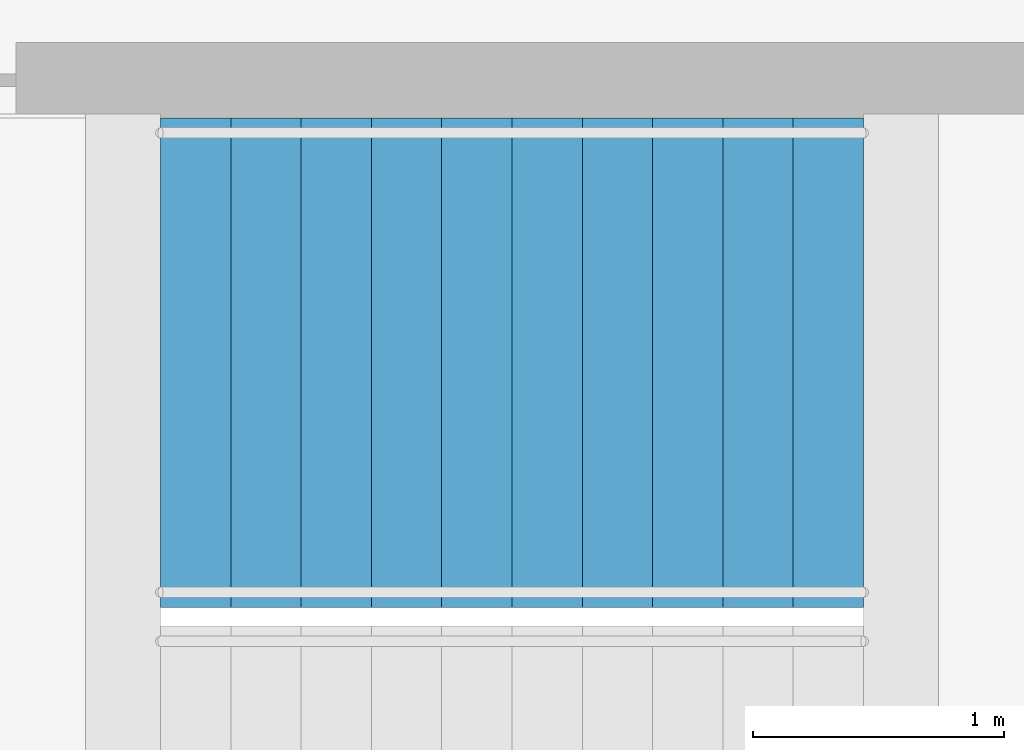
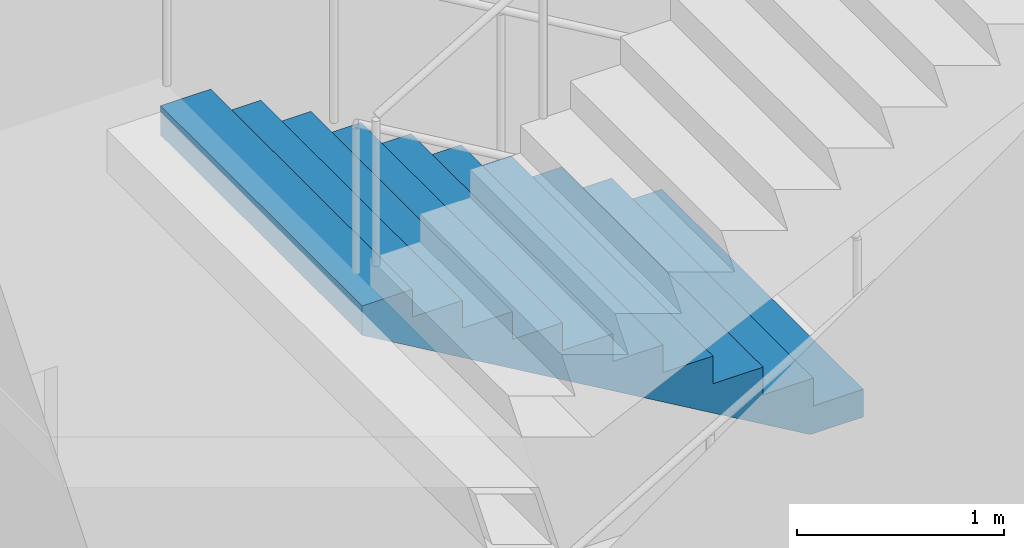
# One storey, part 16 of 22: 1 stair flight, 1 element without a shape of its own.
"""IFC4 building model written with IfcOpenShell, lengths in metres."""

import ifcopenshell
import ifcopenshell.guid

model = None  # the IFC model being written
_history = None  # IfcOwnerHistory: only IFC2X3 demands one
_inside = {}  # id of a spatial element -> (the spatial element, [elements in it])
_under = {}  # id of a project, library or spatial element -> (it, [spatial elements below it])
_declared = {}  # id of a project -> (the project, [libraries it declares])
_typed = {}  # id of a type object -> (the type object, [elements of that type])
_made_of = {}  # id of a material, layer set ... -> (it, [elements and type objects made of it])


def new_model(schema):
    """Start an empty IFC model of exactly this schema.

    Asked for "IFC4X3", IfcOpenShell would pick the latest addendum, in which some entities
    have other attributes; the version numbers below select the first issue.
    IFC2X3 requires an IfcOwnerHistory on every rooted entity: one is made here for all.
    """
    global model, _history
    if schema == "IFC4X3":
        model = ifcopenshell.file(schema_version=(4, 3, 0, 0))
    else:
        model = ifcopenshell.file(schema=schema)
    _inside.clear()
    _under.clear()
    _declared.clear()
    _typed.clear()
    _made_of.clear()
    _history = None
    if model.schema == "IFC2X3":
        org = make("IfcOrganization", Name="unknown")
        user = make(
            "IfcPersonAndOrganization",
            ThePerson=make("IfcPerson", FamilyName="unknown"),
            TheOrganization=org,
        )
        app = make(
            "IfcApplication",
            ApplicationDeveloper=org,
            Version="unknown",
            ApplicationFullName="unknown",
            ApplicationIdentifier="unknown",
        )
        _history = make(
            "IfcOwnerHistory",
            OwningUser=user,
            OwningApplication=app,
            ChangeAction="ADDED",
            CreationDate=0,
        )
    return model


def make(cls, **values):
    """One entity of the class cls with the attributes given. An attribute that is None is left unset."""
    return model.create_entity(
        cls, **{name: value for name, value in values.items() if value is not None}
    )


def rooted(cls, **values):
    """An entity with a GlobalId (a new one), such as an element, a storey or a relation."""
    return make(cls, GlobalId=ifcopenshell.guid.new(), OwnerHistory=_history, **values)


def si_unit(unit_type, name, prefix=None):
    """IfcSIUnit, for example si_unit("LENGTHUNIT", "METRE", prefix="MILLI")."""
    return make("IfcSIUnit", UnitType=unit_type, Prefix=prefix, Name=name)


def assignment(units):
    """IfcUnitAssignment: the units of a project."""
    return None if units is None else make("IfcUnitAssignment", Units=units)


def point(xyz):
    """IfcCartesianPoint."""
    return None if xyz is None else make("IfcCartesianPoint", Coordinates=xyz)


def direction(xyz):
    """IfcDirection."""
    return None if xyz is None else make("IfcDirection", DirectionRatios=xyz)


def frame(location, z_axis=None, x_axis=None):
    """IfcAxis2Placement3D, a coordinate frame: its origin and axes. An axis left out is left unset."""
    return make(
        "IfcAxis2Placement3D",
        Location=point(location),
        Axis=direction(z_axis),
        RefDirection=direction(x_axis),
    )


def origin():
    """The frame at (0, 0, 0) with its axes left unset."""
    return frame((0.0, 0.0, 0.0))


def place(relative_to, where):
    """IfcLocalPlacement: puts the frame where relative to a parent placement (None: the world)."""
    return make(
        "IfcLocalPlacement", PlacementRelTo=relative_to, RelativePlacement=where
    )


def context(
    kind, dimensions, precision=None, world=None, true_north=None, identifier=None
):
    """IfcGeometricRepresentationContext, for example the 3D "Model" context."""
    return make(
        "IfcGeometricRepresentationContext",
        ContextIdentifier=identifier,
        ContextType=kind,
        CoordinateSpaceDimension=dimensions,
        Precision=precision,
        WorldCoordinateSystem=world,
        TrueNorth=true_north,
    )


def subcontext(parent, identifier, kind, view, scale=None):
    """IfcGeometricRepresentationSubContext, for example "Body" below "Model"."""
    return make(
        "IfcGeometricRepresentationSubContext",
        ContextIdentifier=identifier,
        ContextType=kind,
        ParentContext=parent,
        TargetScale=scale,
        TargetView=view,
    )


def project(units=None, contexts=None):
    """IfcProject with its units and contexts."""
    return rooted(
        "IfcProject",
        Name="project",
        RepresentationContexts=contexts,
        UnitsInContext=assignment(units),
    )


def spatial(cls, under=None, at=None, **own):
    """A site, building, storey or space (cls), placed at a placement, below another one or the project."""
    s = rooted(cls, ObjectPlacement=at, **own)
    if under is not None:
        _under.setdefault(under.id(), (under, []))[1].append(s)
    return s


def point_list(points):
    """IfcCartesianPointList2D or 3D."""
    cls = (
        "IfcCartesianPointList2D" if len(points[0]) == 2 else "IfcCartesianPointList3D"
    )
    return make(cls, CoordList=points)


def triangles(points, corners, closed=None, point_numbers=None):
    """IfcTriangulatedFaceSet: each triangle names its three corners, points numbered from 1."""
    return make(
        "IfcTriangulatedFaceSet",
        Coordinates=point_list(points),
        Closed=closed,
        CoordIndex=corners,
        PnIndex=point_numbers,
    )


def shape(context_of_items, identifier, shape_type, items):
    """IfcShapeRepresentation: the items that make up one representation, for example the "Body"."""
    return make(
        "IfcShapeRepresentation",
        ContextOfItems=context_of_items,
        RepresentationIdentifier=identifier,
        RepresentationType=shape_type,
        Items=items,
    )


def material(Name=None, Category=None):
    """IfcMaterial."""
    return make("IfcMaterial", Name=Name, Category=Category)


def made_of(thing, what):
    """Note that an element or type object is made of a material, layer set ...; save() writes the relation."""
    if what is not None:
        _made_of.setdefault(what.id(), (what, []))[1].append(thing)
    return thing


def type_object(cls, material=None, **own):
    """A type object (cls), such as IfcWallType, which elements share."""
    return made_of(rooted(cls, **own), material)


def element(
    cls,
    number,
    at=None,
    inside=None,
    cuts=None,
    type_object=None,
    material=None,
    context=None,
    identifier="Body",
    shape_type=None,
    held_by="IfcProductDefinitionShape",
    body=None,
    shapes=None,
    **own,
):
    """One element of the class cls, such as IfcWall. Its Tag is "e" and its number.

    at: its placement. inside: the storey or other place that contains it. cuts: it is an
    opening in that element (IfcRelVoidsElement). A single representation is given by context,
    identifier, shape_type and body (its items); several are given by shapes. held_by: the class
    of the entity that holds the representations. save() writes the other relations.
    """
    e = rooted(cls, Tag="e%d" % number, ObjectPlacement=at, **own)
    if body is not None:
        shapes = [shape(context, identifier, shape_type, body)]
    if shapes is not None:
        e.Representation = make(held_by, Representations=shapes)
    if inside is not None:
        _inside.setdefault(inside.id(), (inside, []))[1].append(e)
    if cuts is not None:
        rooted(
            "IfcRelVoidsElement", RelatingBuildingElement=cuts, RelatedOpeningElement=e
        )
    if type_object is not None:
        _typed.setdefault(type_object.id(), (type_object, []))[1].append(e)
    return made_of(e, material)


def aggregate(whole, parts):
    """IfcRelAggregates: a whole, such as a stair, and the parts it consists of."""
    return rooted("IfcRelAggregates", RelatingObject=whole, RelatedObjects=parts)


def save(model, path):
    """Write the relations noted so far, then the file.

    IfcRelAggregates (storeys below a building ...), IfcRelContainedInSpatialStructure (elements
    in a storey), IfcRelDefinesByType, IfcRelAssociatesMaterial and IfcRelDeclares: one each for
    every whole, place, type object, material and project.
    """
    for whole, parts in _under.values():
        aggregate(whole, parts)
    for where, things in _inside.values():
        rooted(
            "IfcRelContainedInSpatialStructure",
            RelatedElements=things,
            RelatingStructure=where,
        )
    for kind, things in _typed.values():
        rooted("IfcRelDefinesByType", RelatedObjects=things, RelatingType=kind)
    for what, things in _made_of.values():
        rooted("IfcRelAssociatesMaterial", RelatedObjects=things, RelatingMaterial=what)
    for by, libraries in _declared.values():
        rooted("IfcRelDeclares", RelatingContext=by, RelatedDefinitions=libraries)
    model.write(path)


model = new_model("IFC4")

# Units and contexts
model_context = context("Model", 3, precision=1e-05, world=origin(), true_north=direction((0.0, 1.0)))
body_context = subcontext(model_context, "Body", "Model", "MODEL_VIEW")
ifc_project = project(units=[si_unit("LENGTHUNIT", "METRE"), si_unit("AREAUNIT", "SQUARE_METRE"), si_unit("VOLUMEUNIT", "CUBIC_METRE"), si_unit("PLANEANGLEUNIT", "RADIAN"), si_unit("MASSUNIT", "GRAM", prefix="KILO")], contexts=[model_context])

# Site, building, storey
site_placement = place(None, origin())
site = spatial("IfcSite", under=ifc_project, at=site_placement, CompositionType="ELEMENT")
building_placement = place(site_placement, origin())
building = spatial("IfcBuilding", under=site, at=building_placement, Name="Orbita Commons", CompositionType="ELEMENT")
storey_placement = place(building_placement, frame((0.0, 0.0, 133.14990234375)))
storey = spatial("IfcBuildingStorey", under=building, at=storey_placement, Name="L33", CompositionType="ELEMENT", Elevation=133.14990234375)

# Stair, stair flight
ifc_material_1 = material(Name="Precast concrete C40/50", Category="concrete")
stair_type = type_object("IfcStairType", Name="Exit stair S1 4 flights 11 risers 164", PredefinedType="HALF_TURN_STAIR", material=ifc_material_1)
stair_placement = place(storey_placement, origin())
stair = element("IfcStair", 1, at=stair_placement, inside=storey, type_object=stair_type, Name="Exit stair S1 L33", PredefinedType="HALF_TURN_STAIR")
ifc_material_2 = material(Name="Precast concrete C40/50", Category="concrete")
stair_flight_type = type_object("IfcStairFlightType", Name="Stair flight 11 risers 164 x 280", PredefinedType="STRAIGHT", material=ifc_material_2)
stair_flight_placement = place(storey_placement, frame((23.25, 29.27490234375, 1.800048828125), z_axis=(0.0, 0.0, 1.0), x_axis=(-1.0, 0.0, 0.0)))
stair_flight = element("IfcStairFlight", 2, at=stair_flight_placement, type_object=stair_flight_type, Name="S1 flight 2", NumberOfRisers=11, NumberOfTreads=10, PredefinedType="STRAIGHT", RiserHeight=0.163636364, TreadLength=0.28, context=body_context, shape_type="Tessellation", body=[
    triangles([(0.0, 0.974976, 0.0), (0.0, 0.974976, 0.020455), (0.0, 0.81248, 0.020455), (0.0, 0.81248, 0.0), (0.0, 0.649984, 0.020455), (0.0, 0.649984, 0.0), (0.0, 0.487488, 0.020455), (0.0, 0.487488, 0.0), (0.0, 0.324992, 0.020455), (0.0, 0.324992, 0.0), (0.0, 0.162496, 0.020455), (0.0, 0.162496, 0.0), (0.0, 0.0, 0.020455), (0.0, 0.0, 0.0), (0.0, -0.162496, 0.020455), (0.0, -0.162496, 0.0), (0.0, -0.324992, 0.020455), (0.0, -0.324992, 0.0), (0.0, -0.487488, 0.020455), (0.0, -0.487488, 0.0), (0.0, -0.649984, 0.020455), (0.0, -0.649984, 0.0), (0.0, -0.81248, 0.020455), (0.0, -0.81248, 0.0), (0.0, -0.974976, 0.020455), (0.0, -0.974976, 0.0), (0.0, 0.974976, 0.040909), (0.0, 0.81248, 0.040909), (0.0, 0.649984, 0.040909), (0.0, 0.487488, 0.040909), (0.0, 0.324992, 0.040909), (0.0, 0.162496, 0.040909), (0.0, 0.0, 0.040909), (0.0, -0.162496, 0.040909), (0.0, -0.324992, 0.040909), (0.0, -0.487488, 0.040909), (0.0, -0.649984, 0.040909), (0.0, -0.81248, 0.040909), (0.0, -0.974976, 0.040909), (0.0, 0.974976, 0.061364), (0.0, 0.81248, 0.061364), (0.0, 0.649984, 0.061364), (0.0, 0.487488, 0.061364), (0.0, 0.324992, 0.061364), (0.0, 0.162496, 0.061364), (0.0, 0.0, 0.061364), (0.0, -0.162496, 0.061364), (0.0, -0.324992, 0.061364), (0.0, -0.487488, 0.061364), (0.0, -0.649984, 0.061364), (0.0, -0.81248, 0.061364), (0.0, -0.974976, 0.061364), (0.0, 0.974976, 0.081818), (0.0, 0.81248, 0.081818), (0.0, 0.649984, 0.081818), (0.0, 0.487488, 0.081818), (0.0, 0.324992, 0.081818), (0.0, 0.162496, 0.081818), (0.0, 0.0, 0.081818), (0.0, -0.162496, 0.081818), (0.0, -0.324992, 0.081818), (0.0, -0.487488, 0.081818), (0.0, -0.649984, 0.081818), (0.0, -0.81248, 0.081818), (0.0, -0.974976, 0.081818), (0.0, 0.974976, 0.102273), (0.0, 0.81248, 0.102273), (0.0, 0.649984, 0.102273), (0.0, 0.487488, 0.102273), (0.0, 0.324992, 0.102273), (0.0, 0.162496, 0.102273), (0.0, 0.0, 0.102273), (0.0, -0.162496, 0.102273), (0.0, -0.324992, 0.102273), (0.0, -0.487488, 0.102273), (0.0, -0.649984, 0.102273), (0.0, -0.81248, 0.102273), (0.0, -0.974976, 0.102273), (0.0, 0.974976, 0.122727), (0.0, 0.81248, 0.122727), (0.0, 0.649984, 0.122727), (0.0, 0.487488, 0.122727), (0.0, 0.324992, 0.122727), (0.0, 0.162496, 0.122727), (0.0, 0.0, 0.122727), (0.0, -0.162496, 0.122727), (0.0, -0.324992, 0.122727), (0.0, -0.487488, 0.122727), (0.0, -0.649984, 0.122727), (0.0, -0.81248, 0.122727), (0.0, -0.974976, 0.122727), (0.0, 0.974976, 0.143182), (0.0, 0.81248, 0.143182), (0.0, 0.649984, 0.143182), (0.0, 0.487488, 0.143182), (0.0, 0.324992, 0.143182), (0.0, 0.162496, 0.143182), (0.0, 0.0, 0.143182), (0.0, -0.162496, 0.143182), (0.0, -0.324992, 0.143182), (0.0, -0.487488, 0.143182), (0.0, -0.649984, 0.143182), (0.0, -0.81248, 0.143182), (0.0, -0.974976, 0.143182), (0.0, 0.974976, 0.163636), (0.0, 0.81248, 0.163636), (0.0, 0.649984, 0.163636), (0.0, 0.487488, 0.163636), (0.0, 0.324992, 0.163636), (0.0, 0.162496, 0.163636), (0.0, 0.0, 0.163636), (0.0, -0.162496, 0.163636), (0.0, -0.324992, 0.163636), (0.0, -0.487488, 0.163636), (0.0, -0.649984, 0.163636), (0.0, -0.81248, 0.163636), (0.0, -0.974976, 0.163636), (0.28, 0.974976, 0.163636), (0.28, 0.81248, 0.163636), (0.28, 0.649984, 0.163636), (0.28, 0.487488, 0.163636), (0.28, 0.324992, 0.163636), (0.28, 0.162496, 0.163636), (0.28, 0.0, 0.163636), (0.28, -0.162496, 0.163636), (0.28, -0.324992, 0.163636), (0.28, -0.487488, 0.163636), (0.28, -0.649984, 0.163636), (0.28, -0.81248, 0.163636), (0.28, -0.974976, 0.163636), (0.28, 0.974976, 0.327273), (0.28, 0.81248, 0.327273), (0.28, 0.649984, 0.327273), (0.28, 0.487488, 0.327273), (0.28, 0.324992, 0.327273), (0.28, 0.162496, 0.327273), (0.28, 0.0, 0.327273), (0.28, -0.162496, 0.327273), (0.28, -0.324992, 0.327273), (0.28, -0.487488, 0.327273), (0.28, -0.649984, 0.327273), (0.28, -0.81248, 0.327273), (0.28, -0.974976, 0.327273), (0.56, 0.974976, 0.327273), (0.56, 0.81248, 0.327273), (0.56, 0.649984, 0.327273), (0.56, 0.487488, 0.327273), (0.56, 0.324992, 0.327273), (0.56, 0.162496, 0.327273), (0.56, 0.0, 0.327273), (0.56, -0.162496, 0.327273), (0.56, -0.324992, 0.327273), (0.56, -0.487488, 0.327273), (0.56, -0.649984, 0.327273), (0.56, -0.81248, 0.327273), (0.56, -0.974976, 0.327273), (0.56, 0.974976, 0.490909), (0.56, 0.81248, 0.490909), (0.56, 0.649984, 0.490909), (0.56, 0.487488, 0.490909), (0.56, 0.324992, 0.490909), (0.56, 0.162496, 0.490909), (0.56, 0.0, 0.490909), (0.56, -0.162496, 0.490909), (0.56, -0.324992, 0.490909), (0.56, -0.487488, 0.490909), (0.56, -0.649984, 0.490909), (0.56, -0.81248, 0.490909), (0.56, -0.974976, 0.490909), (0.84, 0.974976, 0.490909), (0.84, 0.81248, 0.490909), (0.84, 0.649984, 0.490909), (0.84, 0.487488, 0.490909), (0.84, 0.324992, 0.490909), (0.84, 0.162496, 0.490909), (0.84, 0.0, 0.490909), (0.84, -0.162496, 0.490909), (0.84, -0.324992, 0.490909), (0.84, -0.487488, 0.490909), (0.84, -0.649984, 0.490909), (0.84, -0.81248, 0.490909), (0.84, -0.974976, 0.490909), (0.84, 0.974976, 0.654545), (0.84, 0.81248, 0.654545), (0.84, 0.649984, 0.654545), (0.84, 0.487488, 0.654545), (0.84, 0.324992, 0.654545), (0.84, 0.162496, 0.654545), (0.84, 0.0, 0.654545), (0.84, -0.162496, 0.654545), (0.84, -0.324992, 0.654545), (0.84, -0.487488, 0.654545), (0.84, -0.649984, 0.654545), (0.84, -0.81248, 0.654545), (0.84, -0.974976, 0.654545), (1.12, 0.974976, 0.654545), (1.12, 0.81248, 0.654545), (1.12, 0.649984, 0.654545), (1.12, 0.487488, 0.654545), (1.12, 0.324992, 0.654545), (1.12, 0.162496, 0.654545), (1.12, 0.0, 0.654545), (1.12, -0.162496, 0.654545), (1.12, -0.324992, 0.654545), (1.12, -0.487488, 0.654545), (1.12, -0.649984, 0.654545), (1.12, -0.81248, 0.654545), (1.12, -0.974976, 0.654545), (1.12, 0.974976, 0.818182), (1.12, 0.81248, 0.818182), (1.12, 0.649984, 0.818182), (1.12, 0.487488, 0.818182), (1.12, 0.324992, 0.818182), (1.12, 0.162496, 0.818182), (1.12, 0.0, 0.818182), (1.12, -0.162496, 0.818182), (1.12, -0.324992, 0.818182), (1.12, -0.487488, 0.818182), (1.12, -0.649984, 0.818182), (1.12, -0.81248, 0.818182), (1.12, -0.974976, 0.818182), (1.4, 0.974976, 0.818182), (1.4, 0.81248, 0.818182), (1.4, 0.649984, 0.818182), (1.4, 0.487488, 0.818182), (1.4, 0.324992, 0.818182), (1.4, 0.162496, 0.818182), (1.4, 0.0, 0.818182), (1.4, -0.162496, 0.818182), (1.4, -0.324992, 0.818182), (1.4, -0.487488, 0.818182), (1.4, -0.649984, 0.818182), (1.4, -0.81248, 0.818182), (1.4, -0.974976, 0.818182), (1.4, 0.974976, 0.981818), (1.4, 0.81248, 0.981818), (1.4, 0.649984, 0.981818), (1.4, 0.487488, 0.981818), (1.4, 0.324992, 0.981818), (1.4, 0.162496, 0.981818), (1.4, 0.0, 0.981818), (1.4, -0.162496, 0.981818), (1.4, -0.324992, 0.981818), (1.4, -0.487488, 0.981818), (1.4, -0.649984, 0.981818), (1.4, -0.81248, 0.981818), (1.4, -0.974976, 0.981818), (1.68, 0.974976, 0.981818), (1.68, 0.81248, 0.981818), (1.68, 0.649984, 0.981818), (1.68, 0.487488, 0.981818), (1.68, 0.324992, 0.981818), (1.68, 0.162496, 0.981818), (1.68, 0.0, 0.981818), (1.68, -0.162496, 0.981818), (1.68, -0.324992, 0.981818), (1.68, -0.487488, 0.981818), (1.68, -0.649984, 0.981818), (1.68, -0.81248, 0.981818), (1.68, -0.974976, 0.981818), (1.68, 0.974976, 1.145455), (1.68, 0.81248, 1.145455), (1.68, 0.649984, 1.145455), (1.68, 0.487488, 1.145455), (1.68, 0.324992, 1.145455), (1.68, 0.162496, 1.145455), (1.68, 0.0, 1.145455), (1.68, -0.162496, 1.145455), (1.68, -0.324992, 1.145455), (1.68, -0.487488, 1.145455), (1.68, -0.649984, 1.145455), (1.68, -0.81248, 1.145455), (1.68, -0.974976, 1.145455), (1.96, 0.974976, 1.145455), (1.96, 0.81248, 1.145455), (1.96, 0.649984, 1.145455), (1.96, 0.487488, 1.145455), (1.96, 0.324992, 1.145455), (1.96, 0.162496, 1.145455), (1.96, 0.0, 1.145455), (1.96, -0.162496, 1.145455), (1.96, -0.324992, 1.145455), (1.96, -0.487488, 1.145455), (1.96, -0.649984, 1.145455), (1.96, -0.81248, 1.145455), (1.96, -0.974976, 1.145455), (1.96, 0.974976, 1.309091), (1.96, 0.81248, 1.309091), (1.96, 0.649984, 1.309091), (1.96, 0.487488, 1.309091), (1.96, 0.324992, 1.309091), (1.96, 0.162496, 1.309091), (1.96, 0.0, 1.309091), (1.96, -0.162496, 1.309091), (1.96, -0.324992, 1.309091), (1.96, -0.487488, 1.309091), (1.96, -0.649984, 1.309091), (1.96, -0.81248, 1.309091), (1.96, -0.974976, 1.309091), (2.24, 0.974976, 1.309091), (2.24, 0.81248, 1.309091), (2.24, 0.649984, 1.309091), (2.24, 0.487488, 1.309091), (2.24, 0.324992, 1.309091), (2.24, 0.162496, 1.309091), (2.24, 0.0, 1.309091), (2.24, -0.162496, 1.309091), (2.24, -0.324992, 1.309091), (2.24, -0.487488, 1.309091), (2.24, -0.649984, 1.309091), (2.24, -0.81248, 1.309091), (2.24, -0.974976, 1.309091), (2.24, 0.974976, 1.472727), (2.24, 0.81248, 1.472727), (2.24, 0.649984, 1.472727), (2.24, 0.487488, 1.472727), (2.24, 0.324992, 1.472727), (2.24, 0.162496, 1.472727), (2.24, 0.0, 1.472727), (2.24, -0.162496, 1.472727), (2.24, -0.324992, 1.472727), (2.24, -0.487488, 1.472727), (2.24, -0.649984, 1.472727), (2.24, -0.81248, 1.472727), (2.24, -0.974976, 1.472727), (2.52, 0.974976, 1.472727), (2.52, 0.81248, 1.472727), (2.52, 0.649984, 1.472727), (2.52, 0.487488, 1.472727), (2.52, 0.324992, 1.472727), (2.52, 0.162496, 1.472727), (2.52, 0.0, 1.472727), (2.52, -0.162496, 1.472727), (2.52, -0.324992, 1.472727), (2.52, -0.487488, 1.472727), (2.52, -0.649984, 1.472727), (2.52, -0.81248, 1.472727), (2.52, -0.974976, 1.472727), (2.52, 0.974976, 1.636364), (2.52, 0.81248, 1.636364), (2.52, 0.649984, 1.636364), (2.52, 0.487488, 1.636364), (2.52, 0.324992, 1.636364), (2.52, 0.162496, 1.636364), (2.52, 0.0, 1.636364), (2.52, -0.162496, 1.636364), (2.52, -0.324992, 1.636364), (2.52, -0.487488, 1.636364), (2.52, -0.649984, 1.636364), (2.52, -0.81248, 1.636364), (2.52, -0.974976, 1.636364), (2.8, 0.974976, 1.636364), (2.8, 0.81248, 1.636364), (2.8, 0.649984, 1.636364), (2.8, 0.487488, 1.636364), (2.8, 0.324992, 1.636364), (2.8, 0.162496, 1.636364), (2.8, 0.0, 1.636364), (2.8, -0.162496, 1.636364), (2.8, -0.324992, 1.636364), (2.8, -0.487488, 1.636364), (2.8, -0.649984, 1.636364), (2.8, -0.81248, 1.636364), (2.8, -0.974976, 1.636364), (2.8, 0.974976, 1.614661), (2.8, 0.81248, 1.614661), (2.8, 0.649984, 1.614661), (2.8, 0.487488, 1.614661), (2.8, 0.324992, 1.614661), (2.8, 0.162496, 1.614661), (2.8, 0.0, 1.614661), (2.8, -0.162496, 1.614661), (2.8, -0.324992, 1.614661), (2.8, -0.487488, 1.614661), (2.8, -0.649984, 1.614661), (2.8, -0.81248, 1.614661), (2.8, -0.974976, 1.614661), (2.8, 0.974976, 1.592958), (2.8, 0.81248, 1.592958), (2.8, 0.649984, 1.592958), (2.8, 0.487488, 1.592958), (2.8, 0.324992, 1.592958), (2.8, 0.162496, 1.592958), (2.8, 0.0, 1.592958), (2.8, -0.162496, 1.592958), (2.8, -0.324992, 1.592958), (2.8, -0.487488, 1.592958), (2.8, -0.649984, 1.592958), (2.8, -0.81248, 1.592958), (2.8, -0.974976, 1.592958), (2.8, 0.974976, 1.571255), (2.8, 0.81248, 1.571255), (2.8, 0.649984, 1.571255), (2.8, 0.487488, 1.571255), (2.8, 0.324992, 1.571255), (2.8, 0.162496, 1.571255), (2.8, 0.0, 1.571255), (2.8, -0.162496, 1.571255), (2.8, -0.324992, 1.571255), (2.8, -0.487488, 1.571255), (2.8, -0.649984, 1.571255), (2.8, -0.81248, 1.571255), (2.8, -0.974976, 1.571255), (2.8, 0.974976, 1.549551), (2.8, 0.81248, 1.549551), (2.8, 0.649984, 1.549551), (2.8, 0.487488, 1.549551), (2.8, 0.324992, 1.549551), (2.8, 0.162496, 1.549551), (2.8, 0.0, 1.549551), (2.8, -0.162496, 1.549551), (2.8, -0.324992, 1.549551), (2.8, -0.487488, 1.549551), (2.8, -0.649984, 1.549551), (2.8, -0.81248, 1.549551), (2.8, -0.974976, 1.549551), (2.8, 0.974976, 1.527848), (2.8, 0.81248, 1.527848), (2.8, 0.649984, 1.527848), (2.8, 0.487488, 1.527848), (2.8, 0.324992, 1.527848), (2.8, 0.162496, 1.527848), (2.8, 0.0, 1.527848), (2.8, -0.162496, 1.527848), (2.8, -0.324992, 1.527848), (2.8, -0.487488, 1.527848), (2.8, -0.649984, 1.527848), (2.8, -0.81248, 1.527848), (2.8, -0.974976, 1.527848), (2.8, 0.974976, 1.506145), (2.8, 0.81248, 1.506145), (2.8, 0.649984, 1.506145), (2.8, 0.487488, 1.506145), (2.8, 0.324992, 1.506145), (2.8, 0.162496, 1.506145), (2.8, 0.0, 1.506145), (2.8, -0.162496, 1.506145), (2.8, -0.324992, 1.506145), (2.8, -0.487488, 1.506145), (2.8, -0.649984, 1.506145), (2.8, -0.81248, 1.506145), (2.8, -0.974976, 1.506145), (2.8, 0.974976, 1.484442), (2.8, 0.81248, 1.484442), (2.8, 0.649984, 1.484442), (2.8, 0.487488, 1.484442), (2.8, 0.324992, 1.484442), (2.8, 0.162496, 1.484442), (2.8, 0.0, 1.484442), (2.8, -0.162496, 1.484442), (2.8, -0.324992, 1.484442), (2.8, -0.487488, 1.484442), (2.8, -0.649984, 1.484442), (2.8, -0.81248, 1.484442), (2.8, -0.974976, 1.484442), (2.8, 0.974976, 1.462739), (2.8, 0.81248, 1.462739), (2.8, 0.649984, 1.462739), (2.8, 0.487488, 1.462739), (2.8, 0.324992, 1.462739), (2.8, 0.162496, 1.462739), (2.8, 0.0, 1.462739), (2.8, -0.162496, 1.462739), (2.8, -0.324992, 1.462739), (2.8, -0.487488, 1.462739), (2.8, -0.649984, 1.462739), (2.8, -0.81248, 1.462739), (2.8, -0.974976, 1.462739), (0.29709, 0.974976, 0.0), (0.29709, 0.81248, 0.0), (0.29709, 0.649984, 0.0), (0.29709, 0.487488, 0.0), (0.29709, 0.324992, 0.0), (0.29709, 0.162496, 0.0), (0.29709, 0.0, 0.0), (0.29709, -0.162496, 0.0), (0.29709, -0.324992, 0.0), (0.29709, -0.487488, 0.0), (0.29709, -0.649984, 0.0), (0.29709, -0.81248, 0.0), (0.29709, -0.974976, 0.0)], [[3, 2, 1], [4, 3, 1], [5, 3, 4], [6, 5, 4], [7, 5, 6], [8, 7, 6], [9, 7, 8], [10, 9, 8], [11, 9, 10], [12, 11, 10], [13, 11, 12], [14, 13, 12], [15, 13, 14], [16, 15, 14], [17, 15, 16], [18, 17, 16], [19, 17, 18], [20, 19, 18], [21, 19, 20], [22, 21, 20], [23, 21, 22], [24, 23, 22], [25, 23, 24], [26, 25, 24], [28, 27, 2], [3, 28, 2], [29, 28, 3], [5, 29, 3], [30, 29, 5], [7, 30, 5], [31, 30, 7], [9, 31, 7], [32, 31, 9], [11, 32, 9], [33, 32, 11], [13, 33, 11], [34, 33, 13], [15, 34, 13], [35, 34, 15], [17, 35, 15], [36, 35, 17], [19, 36, 17], [37, 36, 19], [21, 37, 19], [38, 37, 21], [23, 38, 21], [39, 38, 23], [25, 39, 23], [41, 40, 27], [28, 41, 27], [42, 41, 28], [29, 42, 28], [43, 42, 29], [30, 43, 29], [44, 43, 30], [31, 44, 30], [45, 44, 31], [32, 45, 31], [46, 45, 32], [33, 46, 32], [47, 46, 33], [34, 47, 33], [48, 47, 34], [35, 48, 34], [49, 48, 35], [36, 49, 35], [50, 49, 36], [37, 50, 36], [51, 50, 37], [38, 51, 37], [52, 51, 38], [39, 52, 38], [54, 53, 40], [41, 54, 40], [55, 54, 41], [42, 55, 41], [56, 55, 42], [43, 56, 42], [57, 56, 43], [44, 57, 43], [58, 57, 44], [45, 58, 44], [59, 58, 45], [46, 59, 45], [60, 59, 46], [47, 60, 46], [61, 60, 47], [48, 61, 47], [62, 61, 48], [49, 62, 48], [63, 62, 49], [50, 63, 49], [64, 63, 50], [51, 64, 50], [65, 64, 51], [52, 65, 51], [67, 66, 53], [54, 67, 53], [68, 67, 54], [55, 68, 54], [69, 68, 55], [56, 69, 55], [70, 69, 56], [57, 70, 56], [71, 70, 57], [58, 71, 57], [72, 71, 58], [59, 72, 58], [73, 72, 59], [60, 73, 59], [74, 73, 60], [61, 74, 60], [75, 74, 61], [62, 75, 61], [76, 75, 62], [63, 76, 62], [77, 76, 63], [64, 77, 63], [78, 77, 64], [65, 78, 64], [80, 79, 66], [67, 80, 66], [81, 80, 67], [68, 81, 67], [82, 81, 68], [69, 82, 68], [83, 82, 69], [70, 83, 69], [84, 83, 70], [71, 84, 70], [85, 84, 71], [72, 85, 71], [86, 85, 72], [73, 86, 72], [87, 86, 73], [74, 87, 73], [88, 87, 74], [75, 88, 74], [89, 88, 75], [76, 89, 75], [90, 89, 76], [77, 90, 76], [91, 90, 77], [78, 91, 77], [93, 92, 79], [80, 93, 79], [94, 93, 80], [81, 94, 80], [95, 94, 81], [82, 95, 81], [96, 95, 82], [83, 96, 82], [97, 96, 83], [84, 97, 83], [98, 97, 84], [85, 98, 84], [99, 98, 85], [86, 99, 85], [100, 99, 86], [87, 100, 86], [101, 100, 87], [88, 101, 87], [102, 101, 88], [89, 102, 88], [103, 102, 89], [90, 103, 89], [104, 103, 90], [91, 104, 90], [106, 105, 92], [93, 106, 92], [107, 106, 93], [94, 107, 93], [108, 107, 94], [95, 108, 94], [109, 108, 95], [96, 109, 95], [110, 109, 96], [97, 110, 96], [111, 110, 97], [98, 111, 97], [112, 111, 98], [99, 112, 98], [113, 112, 99], [100, 113, 99], [114, 113, 100], [101, 114, 100], [115, 114, 101], [102, 115, 101], [116, 115, 102], [103, 116, 102], [117, 116, 103], [104, 117, 103], [119, 118, 105], [106, 119, 105], [120, 119, 106], [107, 120, 106], [121, 120, 107], [108, 121, 107], [122, 121, 108], [109, 122, 108], [123, 122, 109], [110, 123, 109], [124, 123, 110], [111, 124, 110], [125, 124, 111], [112, 125, 111], [126, 125, 112], [113, 126, 112], [127, 126, 113], [114, 127, 113], [128, 127, 114], [115, 128, 114], [129, 128, 115], [116, 129, 115], [130, 129, 116], [117, 130, 116], [132, 131, 118], [119, 132, 118], [133, 132, 119], [120, 133, 119], [134, 133, 120], [121, 134, 120], [135, 134, 121], [122, 135, 121], [136, 135, 122], [123, 136, 122], [137, 136, 123], [124, 137, 123], [138, 137, 124], [125, 138, 124], [139, 138, 125], [126, 139, 125], [140, 139, 126], [127, 140, 126], [141, 140, 127], [128, 141, 127], [142, 141, 128], [129, 142, 128], [143, 142, 129], [130, 143, 129], [145, 144, 131], [132, 145, 131], [146, 145, 132], [133, 146, 132], [147, 146, 133], [134, 147, 133], [148, 147, 134], [135, 148, 134], [149, 148, 135], [136, 149, 135], [150, 149, 136], [137, 150, 136], [151, 150, 137], [138, 151, 137], [152, 151, 138], [139, 152, 138], [153, 152, 139], [140, 153, 139], [154, 153, 140], [141, 154, 140], [155, 154, 141], [142, 155, 141], [156, 155, 142], [143, 156, 142], [158, 157, 144], [145, 158, 144], [159, 158, 145], [146, 159, 145], [160, 159, 146], [147, 160, 146], [161, 160, 147], [148, 161, 147], [162, 161, 148], [149, 162, 148], [163, 162, 149], [150, 163, 149], [164, 163, 150], [151, 164, 150], [165, 164, 151], [152, 165, 151], [166, 165, 152], [153, 166, 152], [167, 166, 153], [154, 167, 153], [168, 167, 154], [155, 168, 154], [169, 168, 155], [156, 169, 155], [171, 170, 157], [158, 171, 157], [172, 171, 158], [159, 172, 158], [173, 172, 159], [160, 173, 159], [174, 173, 160], [161, 174, 160], [175, 174, 161], [162, 175, 161], [176, 175, 162], [163, 176, 162], [177, 176, 163], [164, 177, 163], [178, 177, 164], [165, 178, 164], [179, 178, 165], [166, 179, 165], [180, 179, 166], [167, 180, 166], [181, 180, 167], [168, 181, 167], [182, 181, 168], [169, 182, 168], [184, 183, 170], [171, 184, 170], [185, 184, 171], [172, 185, 171], [186, 185, 172], [173, 186, 172], [187, 186, 173], [174, 187, 173], [188, 187, 174], [175, 188, 174], [189, 188, 175], [176, 189, 175], [190, 189, 176], [177, 190, 176], [191, 190, 177], [178, 191, 177], [192, 191, 178], [179, 192, 178], [193, 192, 179], [180, 193, 179], [194, 193, 180], [181, 194, 180], [195, 194, 181], [182, 195, 181], [197, 196, 183], [184, 197, 183], [198, 197, 184], [185, 198, 184], [199, 198, 185], [186, 199, 185], [200, 199, 186], [187, 200, 186], [201, 200, 187], [188, 201, 187], [202, 201, 188], [189, 202, 188], [203, 202, 189], [190, 203, 189], [204, 203, 190], [191, 204, 190], [205, 204, 191], [192, 205, 191], [206, 205, 192], [193, 206, 192], [207, 206, 193], [194, 207, 193], [208, 207, 194], [195, 208, 194], [210, 209, 196], [197, 210, 196], [211, 210, 197], [198, 211, 197], [212, 211, 198], [199, 212, 198], [213, 212, 199], [200, 213, 199], [214, 213, 200], [201, 214, 200], [215, 214, 201], [202, 215, 201], [216, 215, 202], [203, 216, 202], [217, 216, 203], [204, 217, 203], [218, 217, 204], [205, 218, 204], [219, 218, 205], [206, 219, 205], [220, 219, 206], [207, 220, 206], [221, 220, 207], [208, 221, 207], [223, 222, 209], [210, 223, 209], [224, 223, 210], [211, 224, 210], [225, 224, 211], [212, 225, 211], [226, 225, 212], [213, 226, 212], [227, 226, 213], [214, 227, 213], [228, 227, 214], [215, 228, 214], [229, 228, 215], [216, 229, 215], [230, 229, 216], [217, 230, 216], [231, 230, 217], [218, 231, 217], [232, 231, 218], [219, 232, 218], [233, 232, 219], [220, 233, 219], [234, 233, 220], [221, 234, 220], [236, 235, 222], [223, 236, 222], [237, 236, 223], [224, 237, 223], [238, 237, 224], [225, 238, 224], [239, 238, 225], [226, 239, 225], [240, 239, 226], [227, 240, 226], [241, 240, 227], [228, 241, 227], [242, 241, 228], [229, 242, 228], [243, 242, 229], [230, 243, 229], [244, 243, 230], [231, 244, 230], [245, 244, 231], [232, 245, 231], [246, 245, 232], [233, 246, 232], [247, 246, 233], [234, 247, 233], [249, 248, 235], [236, 249, 235], [250, 249, 236], [237, 250, 236], [251, 250, 237], [238, 251, 237], [252, 251, 238], [239, 252, 238], [253, 252, 239], [240, 253, 239], [254, 253, 240], [241, 254, 240], [255, 254, 241], [242, 255, 241], [256, 255, 242], [243, 256, 242], [257, 256, 243], [244, 257, 243], [258, 257, 244], [245, 258, 244], [259, 258, 245], [246, 259, 245], [260, 259, 246], [247, 260, 246], [262, 261, 248], [249, 262, 248], [263, 262, 249], [250, 263, 249], [264, 263, 250], [251, 264, 250], [265, 264, 251], [252, 265, 251], [266, 265, 252], [253, 266, 252], [267, 266, 253], [254, 267, 253], [268, 267, 254], [255, 268, 254], [269, 268, 255], [256, 269, 255], [270, 269, 256], [257, 270, 256], [271, 270, 257], [258, 271, 257], [272, 271, 258], [259, 272, 258], [273, 272, 259], [260, 273, 259], [275, 274, 261], [262, 275, 261], [276, 275, 262], [263, 276, 262], [277, 276, 263], [264, 277, 263], [278, 277, 264], [265, 278, 264], [279, 278, 265], [266, 279, 265], [280, 279, 266], [267, 280, 266], [281, 280, 267], [268, 281, 267], [282, 281, 268], [269, 282, 268], [283, 282, 269], [270, 283, 269], [284, 283, 270], [271, 284, 270], [285, 284, 271], [272, 285, 271], [286, 285, 272], [273, 286, 272], [288, 287, 274], [275, 288, 274], [289, 288, 275], [276, 289, 275], [290, 289, 276], [277, 290, 276], [291, 290, 277], [278, 291, 277], [292, 291, 278], [279, 292, 278], [293, 292, 279], [280, 293, 279], [294, 293, 280], [281, 294, 280], [295, 294, 281], [282, 295, 281], [296, 295, 282], [283, 296, 282], [297, 296, 283], [284, 297, 283], [298, 297, 284], [285, 298, 284], [299, 298, 285], [286, 299, 285], [301, 300, 287], [288, 301, 287], [302, 301, 288], [289, 302, 288], [303, 302, 289], [290, 303, 289], [304, 303, 290], [291, 304, 290], [305, 304, 291], [292, 305, 291], [306, 305, 292], [293, 306, 292], [307, 306, 293], [294, 307, 293], [308, 307, 294], [295, 308, 294], [309, 308, 295], [296, 309, 295], [310, 309, 296], [297, 310, 296], [311, 310, 297], [298, 311, 297], [312, 311, 298], [299, 312, 298], [314, 313, 300], [301, 314, 300], [315, 314, 301], [302, 315, 301], [316, 315, 302], [303, 316, 302], [317, 316, 303], [304, 317, 303], [318, 317, 304], [305, 318, 304], [319, 318, 305], [306, 319, 305], [320, 319, 306], [307, 320, 306], [321, 320, 307], [308, 321, 307], [322, 321, 308], [309, 322, 308], [323, 322, 309], [310, 323, 309], [324, 323, 310], [311, 324, 310], [325, 324, 311], [312, 325, 311], [327, 326, 313], [314, 327, 313], [328, 327, 314], [315, 328, 314], [329, 328, 315], [316, 329, 315], [330, 329, 316], [317, 330, 316], [331, 330, 317], [318, 331, 317], [332, 331, 318], [319, 332, 318], [333, 332, 319], [320, 333, 319], [334, 333, 320], [321, 334, 320], [335, 334, 321], [322, 335, 321], [336, 335, 322], [323, 336, 322], [337, 336, 323], [324, 337, 323], [338, 337, 324], [325, 338, 324], [340, 339, 326], [327, 340, 326], [341, 340, 327], [328, 341, 327], [342, 341, 328], [329, 342, 328], [343, 342, 329], [330, 343, 329], [344, 343, 330], [331, 344, 330], [345, 344, 331], [332, 345, 331], [346, 345, 332], [333, 346, 332], [347, 346, 333], [334, 347, 333], [348, 347, 334], [335, 348, 334], [349, 348, 335], [336, 349, 335], [350, 349, 336], [337, 350, 336], [351, 350, 337], [338, 351, 337], [353, 352, 339], [340, 353, 339], [354, 353, 340], [341, 354, 340], [355, 354, 341], [342, 355, 341], [356, 355, 342], [343, 356, 342], [357, 356, 343], [344, 357, 343], [358, 357, 344], [345, 358, 344], [359, 358, 345], [346, 359, 345], [360, 359, 346], [347, 360, 346], [361, 360, 347], [348, 361, 347], [362, 361, 348], [349, 362, 348], [363, 362, 349], [350, 363, 349], [364, 363, 350], [351, 364, 350], [366, 365, 352], [353, 366, 352], [367, 366, 353], [354, 367, 353], [368, 367, 354], [355, 368, 354], [369, 368, 355], [356, 369, 355], [370, 369, 356], [357, 370, 356], [371, 370, 357], [358, 371, 357], [372, 371, 358], [359, 372, 358], [373, 372, 359], [360, 373, 359], [374, 373, 360], [361, 374, 360], [375, 374, 361], [362, 375, 361], [376, 375, 362], [363, 376, 362], [377, 376, 363], [364, 377, 363], [379, 378, 365], [366, 379, 365], [380, 379, 366], [367, 380, 366], [381, 380, 367], [368, 381, 367], [382, 381, 368], [369, 382, 368], [383, 382, 369], [370, 383, 369], [384, 383, 370], [371, 384, 370], [385, 384, 371], [372, 385, 371], [386, 385, 372], [373, 386, 372], [387, 386, 373], [374, 387, 373], [388, 387, 374], [375, 388, 374], [389, 388, 375], [376, 389, 375], [390, 389, 376], [377, 390, 376], [392, 391, 378], [379, 392, 378], [393, 392, 379], [380, 393, 379], [394, 393, 380], [381, 394, 380], [395, 394, 381], [382, 395, 381], [396, 395, 382], [383, 396, 382], [397, 396, 383], [384, 397, 383], [398, 397, 384], [385, 398, 384], [399, 398, 385], [386, 399, 385], [400, 399, 386], [387, 400, 386], [401, 400, 387], [388, 401, 387], [402, 401, 388], [389, 402, 388], [403, 402, 389], [390, 403, 389], [405, 404, 391], [392, 405, 391], [406, 405, 392], [393, 406, 392], [407, 406, 393], [394, 407, 393], [408, 407, 394], [395, 408, 394], [409, 408, 395], [396, 409, 395], [410, 409, 396], [397, 410, 396], [411, 410, 397], [398, 411, 397], [412, 411, 398], [399, 412, 398], [413, 412, 399], [400, 413, 399], [414, 413, 400], [401, 414, 400], [415, 414, 401], [402, 415, 401], [416, 415, 402], [403, 416, 402], [418, 417, 404], [405, 418, 404], [419, 418, 405], [406, 419, 405], [420, 419, 406], [407, 420, 406], [421, 420, 407], [408, 421, 407], [422, 421, 408], [409, 422, 408], [423, 422, 409], [410, 423, 409], [424, 423, 410], [411, 424, 410], [425, 424, 411], [412, 425, 411], [426, 425, 412], [413, 426, 412], [427, 426, 413], [414, 427, 413], [428, 427, 414], [415, 428, 414], [429, 428, 415], [416, 429, 415], [431, 430, 417], [418, 431, 417], [432, 431, 418], [419, 432, 418], [433, 432, 419], [420, 433, 419], [434, 433, 420], [421, 434, 420], [435, 434, 421], [422, 435, 421], [436, 435, 422], [423, 436, 422], [437, 436, 423], [424, 437, 423], [438, 437, 424], [425, 438, 424], [439, 438, 425], [426, 439, 425], [440, 439, 426], [427, 440, 426], [441, 440, 427], [428, 441, 427], [442, 441, 428], [429, 442, 428], [444, 443, 430], [431, 444, 430], [445, 444, 431], [432, 445, 431], [446, 445, 432], [433, 446, 432], [447, 446, 433], [434, 447, 433], [448, 447, 434], [435, 448, 434], [449, 448, 435], [436, 449, 435], [450, 449, 436], [437, 450, 436], [451, 450, 437], [438, 451, 437], [452, 451, 438], [439, 452, 438], [453, 452, 439], [440, 453, 439], [454, 453, 440], [441, 454, 440], [455, 454, 441], [442, 455, 441], [457, 456, 443], [444, 457, 443], [458, 457, 444], [445, 458, 444], [459, 458, 445], [446, 459, 445], [460, 459, 446], [447, 460, 446], [461, 460, 447], [448, 461, 447], [462, 461, 448], [449, 462, 448], [463, 462, 449], [450, 463, 449], [464, 463, 450], [451, 464, 450], [465, 464, 451], [452, 465, 451], [466, 465, 452], [453, 466, 452], [467, 466, 453], [454, 467, 453], [468, 467, 454], [455, 468, 454], [470, 469, 456], [457, 470, 456], [471, 470, 457], [458, 471, 457], [472, 471, 458], [459, 472, 458], [473, 472, 459], [460, 473, 459], [474, 473, 460], [461, 474, 460], [475, 474, 461], [462, 475, 461], [476, 475, 462], [463, 476, 462], [477, 476, 463], [464, 477, 463], [478, 477, 464], [465, 478, 464], [479, 478, 465], [466, 479, 465], [480, 479, 466], [467, 480, 466], [481, 480, 467], [468, 481, 467], [4, 1, 469], [470, 4, 469], [6, 4, 470], [471, 6, 470], [8, 6, 471], [472, 8, 471], [10, 8, 472], [473, 10, 472], [12, 10, 473], [474, 12, 473], [14, 12, 474], [475, 14, 474], [16, 14, 475], [476, 16, 475], [18, 16, 476], [477, 18, 476], [20, 18, 477], [478, 20, 477], [22, 20, 478], [479, 22, 478], [24, 22, 479], [480, 24, 479], [26, 24, 480], [481, 26, 480], [456, 469, 1], [26, 481, 468], [443, 456, 1], [26, 468, 455], [430, 443, 1], [26, 455, 442], [417, 430, 1], [26, 442, 429], [404, 417, 1], [26, 429, 416], [391, 404, 1], [26, 416, 403], [378, 391, 1], [26, 403, 390], [365, 378, 1], [26, 390, 377], [339, 352, 365], [377, 364, 351], [326, 339, 365], [377, 351, 338], [300, 313, 326], [338, 325, 312], [300, 326, 365], [377, 338, 312], [274, 287, 300], [312, 299, 286], [274, 300, 365], [377, 312, 286], [248, 261, 274], [286, 273, 260], [248, 274, 365], [377, 286, 260], [222, 235, 248], [260, 247, 234], [222, 248, 365], [377, 260, 234], [196, 209, 222], [234, 221, 208], [196, 222, 365], [377, 234, 208], [170, 183, 196], [208, 195, 182], [170, 196, 365], [377, 208, 182], [144, 157, 170], [182, 169, 156], [144, 170, 365], [377, 182, 156], [118, 131, 144], [156, 143, 130], [118, 144, 365], [377, 156, 130], [118, 365, 1], [26, 377, 130], [92, 105, 118], [130, 117, 104], [79, 92, 118], [130, 104, 91], [66, 79, 118], [130, 91, 78], [53, 66, 118], [130, 78, 65], [40, 53, 118], [130, 65, 52], [27, 40, 118], [130, 52, 39], [2, 27, 118], [130, 39, 25], [1, 2, 118], [130, 25, 26]], closed=True),
])
aggregate(stair, [stair_flight])

save(model, "model.ifc")
